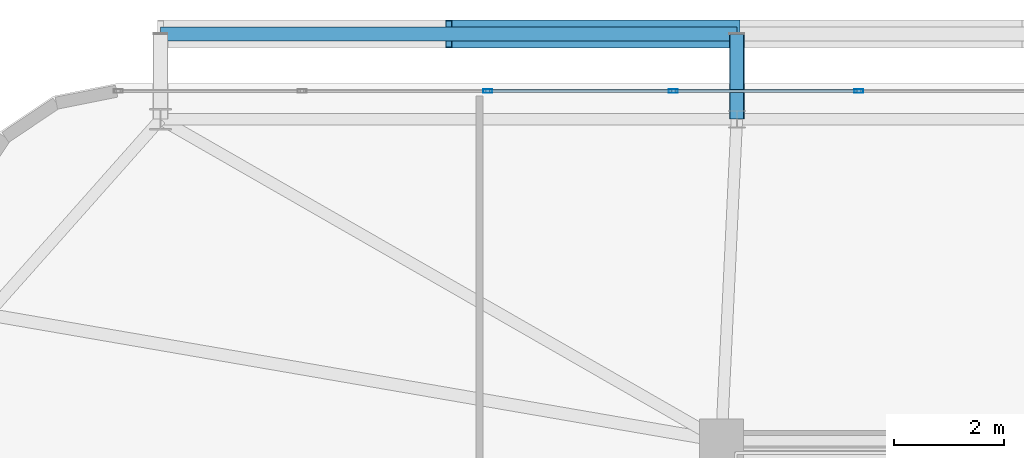
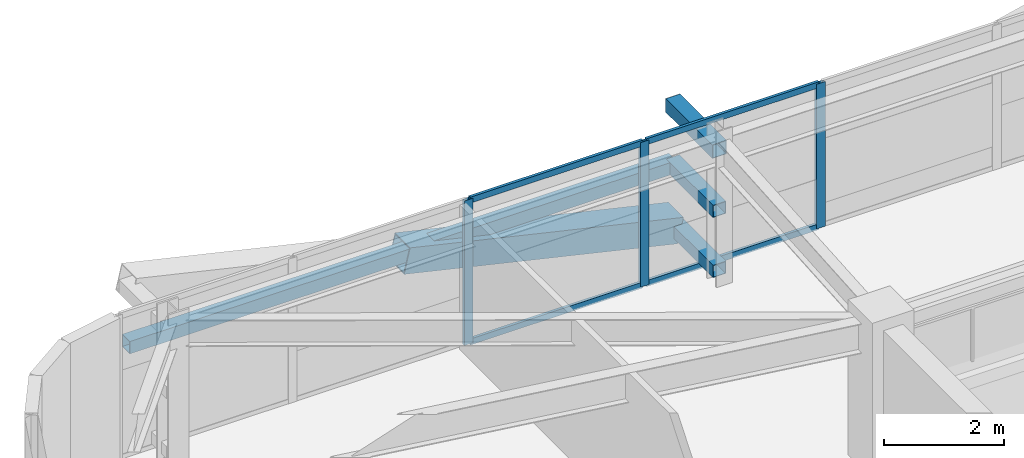
# One storey, part 35 of 58: 12 members, 1 element without a shape of its own.
"""IFC4 building model written with IfcOpenShell, lengths in metres."""

from ifc_helpers import new_model, si_unit, direction, frame, origin, origin_2d, place, context, subcontext, project, spatial, hollow_rectangle, extrude, source, transform, mapped, material, layer, layer_set, material_profile, profile_set, type_object, element, aggregate, save


model = new_model("IFC4")

# Units and contexts
model_context = context("Model", 3, precision=1e-05, world=origin(), true_north=direction((0.0, 1.0)))
body_context = subcontext(model_context, "Body", "Model", "MODEL_VIEW")
ifc_project = project(units=[si_unit("LENGTHUNIT", "METRE"), si_unit("AREAUNIT", "SQUARE_METRE"), si_unit("VOLUMEUNIT", "CUBIC_METRE"), si_unit("PLANEANGLEUNIT", "RADIAN"), si_unit("MASSUNIT", "GRAM", prefix="KILO")], contexts=[model_context])

# Site, building, storey
site_placement = place(None, origin())
site = spatial("IfcSite", under=ifc_project, at=site_placement, CompositionType="ELEMENT")
building_placement = place(site_placement, origin())
building = spatial("IfcBuilding", under=site, at=building_placement, Name="Taldren Reach Tower", CompositionType="ELEMENT")
storey_placement = place(building_placement, frame((0.0, 0.0, 51.449951171875)))
storey = spatial("IfcBuildingStorey", under=building, at=storey_placement, Name="L15", CompositionType="ELEMENT", Elevation=51.449951171875)

# Members
ifc_material_1 = material(Name="Steel Gr 450 (C450L0)", Category="steel")
ifc_material_profile_1 = material_profile(ifc_material_1, hollow_rectangle(XDim=0.27490234375, YDim=0.27490234375, WallThickness=0.00927734375, at=origin_2d()), Name="275x275x9.3SHS")
ifc_profile_set_1 = profile_set([ifc_material_profile_1], Name="Steel Gr 450 (C450L0)")
member_type_1 = type_object("IfcMemberType", Name="MB-TIE273", PredefinedType="STRUT", material=ifc_profile_set_1)
shared_shape_1 = source(origin(), body_context, "Body", "SweptSolid", [
    extrude(hollow_rectangle(XDim=0.27490234375, YDim=0.27490234375, WallThickness=0.00927734375, at=origin_2d()), origin(), (0.0, 0.0, 1.0), 1.5498046875),
])
member_1_placement = place(storey_placement, frame((19.280029296875, 37.85009765625, 2.650146484375), z_axis=(0.0, 1.0, 0.0), x_axis=(-1.0, 0.0, 0.0)))
element("IfcMember", 1, at=member_1_placement, inside=storey, type_object=member_type_1, Name="Exoskeleton diaphragm tie strut B1-N2 L15", PredefinedType="STRUT", context=body_context, shape_type="MappedRepresentation", body=[
    mapped(shared_shape_1, transform((0.0, 0.0, 0.0), scale=1.0)),
])
ifc_material_profile_2 = material_profile(ifc_material_1, hollow_rectangle(XDim=0.510009765625, YDim=0.510009765625, WallThickness=0.02001953125, at=origin_2d()), Name="510x510x20.0SHS")
ifc_profile_set_2 = profile_set([ifc_material_profile_2], Name="Steel Gr 450 (C450L0)")
member_type_2 = type_object("IfcMemberType", Name="MB-EXO508", PredefinedType="BRACE", material=ifc_profile_set_2)
shared_shape_2 = source(origin(), body_context, "Body", "SweptSolid", [
    extrude(hollow_rectangle(XDim=0.510009765625, YDim=0.510009765625, WallThickness=0.02001953125, at=origin_2d()), origin(), (0.0, 0.0, 1.0), 5.37890625),
])
member_2_placement = place(storey_placement, frame((19.280029296875, 39.39990234375, 0.219970703125), z_axis=(-0.97415197996, 0.0, 0.225893603143), x_axis=(0.0, -1.0, 0.0)))
element("IfcMember", 2, at=member_2_placement, inside=storey, type_object=member_type_2, Name="Exoskeleton Diagrid Brace B1-N1 L15", PredefinedType="BRACE", context=body_context, shape_type="MappedRepresentation", body=[
    mapped(shared_shape_2, transform((0.0, 0.0, 0.0), scale=1.0)),
])
ifc_material_2 = material(Name="Steel Gr 350 (C350L0)", Category="steel")
ifc_material_profile_3 = material_profile(ifc_material_2, hollow_rectangle(XDim=0.25, YDim=0.25, WallThickness=0.010009765625, at=origin_2d()), Name="250x250x10.0SHS")
ifc_profile_set_3 = profile_set([ifc_material_profile_3], Name="Steel Gr 350 (C350L0)")
member_type_3 = type_object("IfcMemberType", Name="MB-POST250", PredefinedType="POST", material=ifc_profile_set_3)
shared_shape_3 = source(origin(), body_context, "Body", "SweptSolid", [
    extrude(hollow_rectangle(XDim=0.25, YDim=0.25, WallThickness=0.010009765625, at=origin_2d()), origin(), (0.0, 0.0, 1.0), 10.47998046875),
])
member_3_placement = place(storey_placement, frame((8.800048828125, 39.39990234375, 1.43505859375), z_axis=(1.0, 0.0, 0.0), x_axis=(0.0, 1.0, 0.0)))
element("IfcMember", 3, at=member_3_placement, inside=storey, type_object=member_type_3, Name="Exoskeleton mid-height ring chord B1-N1 L15", PredefinedType="POST", context=body_context, shape_type="MappedRepresentation", body=[
    mapped(shared_shape_3, transform((0.0, 0.0, 0.0), scale=1.0)),
])
shared_shape_4 = source(origin(), body_context, "Body", "SweptSolid", [
    extrude(hollow_rectangle(XDim=0.25, YDim=0.25, WallThickness=0.010009765625, at=origin_2d()), origin(), (0.0, 0.0, 1.0), 1.5498046875),
])
for number, where, z_axis, x_axis, name in (
    (4, (19.280029296875, 37.85009765625, 0.219970703125), (0.0, 1.0, 0.0), (-1.0, 0.0, 0.0), "Exoskeleton base diaphragm tie strut B1-N2 L15"),
    (5, (19.280029296875, 37.85009765625, 1.43505859375), (0.0, 1.0, 0.0), (-1.0, 0.0, 0.0), "Exoskeleton mid-tier diaphragm tie B1-N2 L15"),
):
    element("IfcMember", number, at=place(storey_placement, frame(where, z_axis=z_axis, x_axis=x_axis)), inside=storey, type_object=member_type_3, Name=name, PredefinedType="POST", context=body_context, shape_type="MappedRepresentation", body=[
        mapped(shared_shape_4, transform((0.0, 0.0, 0.0), scale=1.0)),
    ])

# Curtain wall, members
ifc_material_3 = material(Name="Aluminium and Low-E Glass Unitised System", Category="aluminium")
ifc_layer = layer(ifc_material_3, 0.159912109375)
ifc_layer_set = layer_set([ifc_layer], Name="Aluminium and Low-E Glass Unitised System")
curtain_wall_type = type_object("IfcCurtainWallType", Name="CW-SYS-2", PredefinedType="NOTDEFINED", material=ifc_layer_set)
curtain_wall_placement = place(storey_placement, origin())
curtain_wall = element("IfcCurtainWall", 6, at=curtain_wall_placement, inside=storey, type_object=curtain_wall_type, Name="Unitised curtain wall CW-L15-N", PredefinedType="NOTDEFINED")
ifc_material_4 = material(Name="Anodised Aluminium 6063-T6", Category="aluminium")
ifc_material_profile_4 = material_profile(ifc_material_4, hollow_rectangle(XDim=0.06494140625, YDim=0.1650390625, WallThickness=0.00390625, at=origin_2d()), Name="ALU-165x65x4RHS")
ifc_profile_set_4 = profile_set([ifc_material_profile_4], Name="Anodised Aluminium 6063-T6")
member_type_4 = type_object("IfcMemberType", Name="CW-MUL-165", PredefinedType="MULLION", material=ifc_profile_set_4)
shared_shape_5 = source(origin(), body_context, "Body", "SweptSolid", [
    extrude(hollow_rectangle(XDim=0.06494140625, YDim=0.1650390625, WallThickness=0.00390625, at=origin_2d()), origin(), (0.0, 0.0, 1.0), 2.929931640625),
])
member_4_placement = place(storey_placement, frame((21.5, 38.360107421875, 0.0), z_axis=(0.0, 0.0, 1.0), x_axis=(0.0, -1.0, 0.0)))
member_4 = element("IfcMember", 7, at=member_4_placement, type_object=member_type_4, Name="CW-2 mullion 13", PredefinedType="MULLION", context=body_context, shape_type="MappedRepresentation", body=[
    mapped(shared_shape_5, transform((0.0, 0.0, 0.0), scale=1.0)),
])
member_5_placement = place(storey_placement, frame((18.125, 38.360107421875, 0.0), z_axis=(0.0, 0.0, 1.0), x_axis=(0.0, -1.0, 0.0)))
member_5 = element("IfcMember", 8, at=member_5_placement, type_object=member_type_4, Name="CW-2 mullion 14", PredefinedType="MULLION", context=body_context, shape_type="MappedRepresentation", body=[
    mapped(shared_shape_5, transform((0.0, 0.0, 0.0), scale=1.0)),
])
member_6_placement = place(storey_placement, frame((14.75, 38.360107421875, 0.0), z_axis=(0.0, 0.0, 1.0), x_axis=(0.0, -1.0, 0.0)))
member_6 = element("IfcMember", 9, at=member_6_placement, type_object=member_type_4, Name="CW-2 mullion 15", PredefinedType="MULLION", context=body_context, shape_type="MappedRepresentation", body=[
    mapped(shared_shape_5, transform((0.0, 0.0, 0.0), scale=1.0)),
])
ifc_material_profile_5 = material_profile(ifc_material_4, hollow_rectangle(XDim=0.054931640625, YDim=0.1201171875, WallThickness=0.0029296875, at=origin_2d()), Name="ALU-120x55x3RHS")
ifc_profile_set_5 = profile_set([ifc_material_profile_5], Name="Anodised Aluminium 6063-T6")
member_type_5 = type_object("IfcMemberType", Name="CW-TRN-135", PredefinedType="USERDEFINED", material=ifc_profile_set_5)
shared_shape_6 = source(origin(), body_context, "Body", "SweptSolid", [
    extrude(hollow_rectangle(XDim=0.054931640625, YDim=0.1201171875, WallThickness=0.0029296875, at=origin_2d()), origin(), (0.0, 0.0, 1.0), 3.31005859375),
])
member_7_placement = place(storey_placement, frame((21.467529296875, 38.360107421875, 0.027587890625), z_axis=(-1.0, 0.0, 0.0), x_axis=(0.0, -1.0, 0.0)))
member_7 = element("IfcMember", 10, at=member_7_placement, type_object=member_type_5, Name="CW-2 transom 13.1", ObjectType="TRANSOM", PredefinedType="USERDEFINED", context=body_context, shape_type="MappedRepresentation", body=[
    mapped(shared_shape_6, transform((0.0, 0.0, 0.0), scale=1.0)),
])
member_8_placement = place(storey_placement, frame((21.467529296875, 38.360107421875, 2.902587890625), z_axis=(-1.0, 0.0, 0.0), x_axis=(0.0, -1.0, 0.0)))
member_8 = element("IfcMember", 11, at=member_8_placement, type_object=member_type_5, Name="CW-2 transom 13.2", ObjectType="TRANSOM", PredefinedType="USERDEFINED", context=body_context, shape_type="MappedRepresentation", body=[
    mapped(shared_shape_6, transform((0.0, 0.0, 0.0), scale=1.0)),
])
member_9_placement = place(storey_placement, frame((18.092529296875, 38.360107421875, 0.027587890625), z_axis=(-1.0, 0.0, 0.0), x_axis=(0.0, -1.0, 0.0)))
member_9 = element("IfcMember", 12, at=member_9_placement, type_object=member_type_5, Name="CW-2 transom 14.1", ObjectType="TRANSOM", PredefinedType="USERDEFINED", context=body_context, shape_type="MappedRepresentation", body=[
    mapped(shared_shape_6, transform((0.0, 0.0, 0.0), scale=1.0)),
])
member_10_placement = place(storey_placement, frame((18.092529296875, 38.360107421875, 2.902587890625), z_axis=(-1.0, 0.0, 0.0), x_axis=(0.0, -1.0, 0.0)))
member_10 = element("IfcMember", 13, at=member_10_placement, type_object=member_type_5, Name="CW-2 transom 14.2", ObjectType="TRANSOM", PredefinedType="USERDEFINED", context=body_context, shape_type="MappedRepresentation", body=[
    mapped(shared_shape_6, transform((0.0, 0.0, 0.0), scale=1.0)),
])
aggregate(curtain_wall, [member_4, member_5, member_6, member_7, member_8, member_9, member_10])

save(model, "model.ifc")
